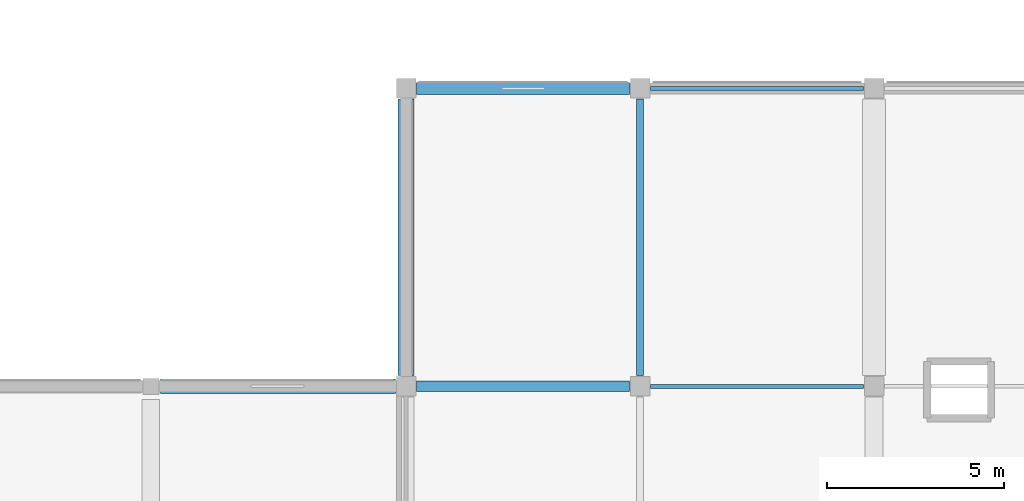
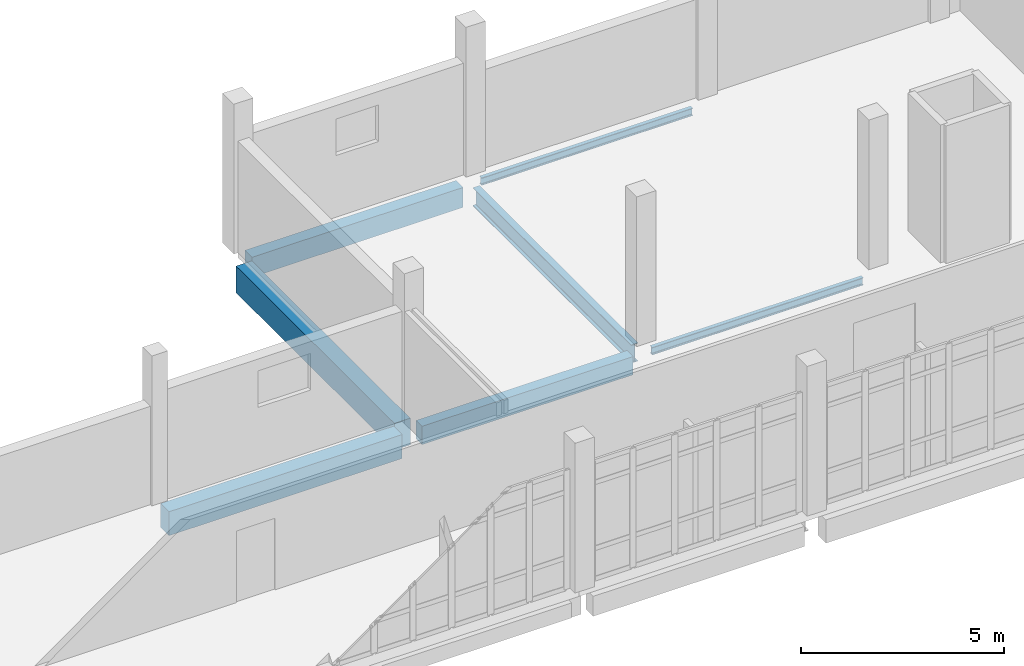
# One storey, part 78 of 134: 7 beams.
"""IFC4 building model written with IfcOpenShell, lengths in metres."""

from ifc_helpers import new_model, si_unit, direction, frame, origin, origin_2d, place, context, subcontext, project, spatial, rectangle, i_section, extrude, material, material_profile, profile_set, type_object, element, save


model = new_model("IFC4")

# Units and contexts
model_context = context("Model", 3, precision=1e-05, world=origin(), true_north=direction((0.0, 1.0)))
body_context = subcontext(model_context, "Body", "Model", "MODEL_VIEW")
ifc_project = project(units=[si_unit("LENGTHUNIT", "METRE"), si_unit("AREAUNIT", "SQUARE_METRE"), si_unit("VOLUMEUNIT", "CUBIC_METRE"), si_unit("PLANEANGLEUNIT", "RADIAN"), si_unit("MASSUNIT", "GRAM", prefix="KILO")], contexts=[model_context])

# Site, building, storey
site_placement = place(None, origin())
site = spatial("IfcSite", under=ifc_project, at=site_placement, CompositionType="ELEMENT")
building_placement = place(site_placement, origin())
building = spatial("IfcBuilding", under=site, at=building_placement, Name="Kalluvel Institute of Natural Sciences", CompositionType="ELEMENT")
storey_placement = place(building_placement, frame((0.0, 0.0, 5.39990234375)))
storey = spatial("IfcBuildingStorey", under=building, at=storey_placement, Name="L01", CompositionType="ELEMENT", Elevation=5.39990234375)

# Beams
ifc_material_1 = material(Name="Steel E350 Grade 350", Category="steel")
ifc_material_profile_1 = material_profile(ifc_material_1, i_section(OverallWidth=0.110107421875, OverallDepth=0.22509765625, WebThickness=0.006591796875, FlangeThickness=0.01171875, FilletRadius=0.011962890625, at=origin_2d()), Name="ISMB 225")
ifc_profile_set_1 = profile_set([ifc_material_profile_1], Name="Steel E350 Grade 350")
beam_type_1 = type_object("IfcBeamType", Name="BM-ISMB225", PredefinedType="BEAM", material=ifc_profile_set_1)
for number, where, z_axis, x_axis, name in (
    (1, (136.10009765625, 111.199951171875, -0.472412109375), (1.0, 0.0, 0.0), (0.0, 1.0, 0.0), "L01 girder GIR-L01-EW-X1358-Y1112"),
    (2, (136.10009765625, 119.60009765625, -0.472412109375), (1.0, 0.0, 0.0), (0.0, 1.0, 0.0), "L01 girder GIR-L01-EW-X1358-Y1196"),
):
    element("IfcBeam", number, at=place(storey_placement, frame(where, z_axis=z_axis, x_axis=x_axis)), inside=storey, type_object=beam_type_1, Name=name, PredefinedType="BEAM", context=body_context, shape_type="SweptSolid", body=[
        extrude(i_section(OverallWidth=0.110107421875, OverallDepth=0.22509765625, WebThickness=0.006591796875, FlangeThickness=0.01171875, FilletRadius=0.011962890625, at=origin_2d()), origin(), (0.0, 0.0, 1.0), 6.0),
    ])
ifc_material_profile_2 = material_profile(ifc_material_1, i_section(OverallWidth=0.18994140625, OverallDepth=0.550048828125, WebThickness=0.01123046875, FlangeThickness=0.019287109375, FilletRadius=0.01806640625, at=origin_2d()), Name="ISMB 550")
ifc_profile_set_2 = profile_set([ifc_material_profile_2], Name="Steel E350 Grade 350")
beam_type_2 = type_object("IfcBeamType", Name="BM-ISMB550", PredefinedType="BEAM", material=ifc_profile_set_2)
beam_1_placement = place(storey_placement, frame((135.800048828125, 111.5, -0.635009765625), z_axis=(0.0, 1.0, 0.0), x_axis=(-1.0, 0.0, 0.0)))
element("IfcBeam", 3, at=beam_1_placement, inside=storey, type_object=beam_type_2, Name="L01 girder GIR-L01-NS-X1358-Y1112", PredefinedType="BEAM", context=body_context, shape_type="SweptSolid", body=[
    extrude(i_section(OverallWidth=0.18994140625, OverallDepth=0.550048828125, WebThickness=0.01123046875, FlangeThickness=0.019287109375, FilletRadius=0.01806640625, at=origin_2d()), origin(), (0.0, 0.0, 1.0), 7.800048828125),
])
ifc_material_2 = material(Name="Concrete M40", Category="concrete")
ifc_material_profile_3 = material_profile(ifc_material_2, rectangle(XDim=0.300048828125, YDim=0.550048828125, at=origin_2d()), Name="RCB 300x550")
ifc_profile_set_3 = profile_set([ifc_material_profile_3], Name="Concrete M40")
beam_type_3 = type_object("IfcBeamType", Name="BM-RC300x550", PredefinedType="BEAM", material=ifc_profile_set_3)
beam_2_placement = place(storey_placement, frame((129.5, 111.199951171875, -0.635009765625), z_axis=(1.0, 0.0, 0.0), x_axis=(0.0, 1.0, 0.0)))
element("IfcBeam", 4, at=beam_2_placement, inside=storey, type_object=beam_type_3, Name="L01 girder GIR-L01-EW-X1292-Y1112", PredefinedType="BEAM", context=body_context, shape_type="SweptSolid", body=[
    extrude(rectangle(XDim=0.300048828125, YDim=0.550048828125, at=origin_2d()), origin(), (0.0, 0.0, 1.0), 6.0),
])
ifc_material_profile_4 = material_profile(ifc_material_2, rectangle(XDim=0.35009765625, YDim=0.60009765625, at=origin_2d()), Name="RCB 350x600")
ifc_profile_set_4 = profile_set([ifc_material_profile_4], Name="Concrete M40")
beam_type_4 = type_object("IfcBeamType", Name="BM-RC350x600", PredefinedType="BEAM", material=ifc_profile_set_4)
beam_3_placement = place(storey_placement, frame((129.5, 119.60009765625, -0.659912109375), z_axis=(1.0, 0.0, 0.0), x_axis=(0.0, 1.0, 0.0)))
element("IfcBeam", 5, at=beam_3_placement, inside=storey, type_object=beam_type_4, Name="L01 girder GIR-L01-EW-X1292-Y1196", PredefinedType="BEAM", context=body_context, shape_type="SweptSolid", body=[
    extrude(rectangle(XDim=0.35009765625, YDim=0.60009765625, at=origin_2d()), origin(), (0.0, 0.0, 1.0), 6.0),
])
ifc_material_profile_5 = material_profile(ifc_material_2, rectangle(XDim=0.419921875, YDim=0.719970703125, at=origin_2d()), Name="RCB 420x720")
ifc_profile_set_5 = profile_set([ifc_material_profile_5], Name="Concrete M40")
beam_type_5 = type_object("IfcBeamType", Name="BM-RC420x720", PredefinedType="BEAM", material=ifc_profile_set_5)
beam_4_placement = place(storey_placement, frame((122.27490234375, 111.199951171875, -0.719970703125), z_axis=(1.0, 0.0, 0.0), x_axis=(0.0, 1.0, 0.0)))
element("IfcBeam", 6, at=beam_4_placement, inside=storey, type_object=beam_type_5, Name="L01 girder GIR-L01-EW-X1220-Y1112", PredefinedType="BEAM", context=body_context, shape_type="SweptSolid", body=[
    extrude(rectangle(XDim=0.419921875, YDim=0.719970703125, at=origin_2d()), origin(), (0.0, 0.0, 1.0), 6.625),
])
ifc_material_profile_6 = material_profile(ifc_material_2, rectangle(XDim=0.449951171875, YDim=0.800048828125, at=origin_2d()), Name="RCB 450x800")
ifc_profile_set_6 = profile_set([ifc_material_profile_6], Name="Concrete M40")
beam_type_6 = type_object("IfcBeamType", Name="BM-RC450x800", PredefinedType="BEAM", material=ifc_profile_set_6)
beam_5_placement = place(storey_placement, frame((129.199951171875, 111.5, -0.760009765625), z_axis=(0.0, 1.0, 0.0), x_axis=(-1.0, 0.0, 0.0)))
element("IfcBeam", 7, at=beam_5_placement, inside=storey, type_object=beam_type_6, Name="L01 girder GIR-L01-NS-X1292-Y1112", PredefinedType="BEAM", context=body_context, shape_type="SweptSolid", body=[
    extrude(rectangle(XDim=0.449951171875, YDim=0.800048828125, at=origin_2d()), origin(), (0.0, 0.0, 1.0), 7.800048828125),
])

save(model, "model.ifc")
